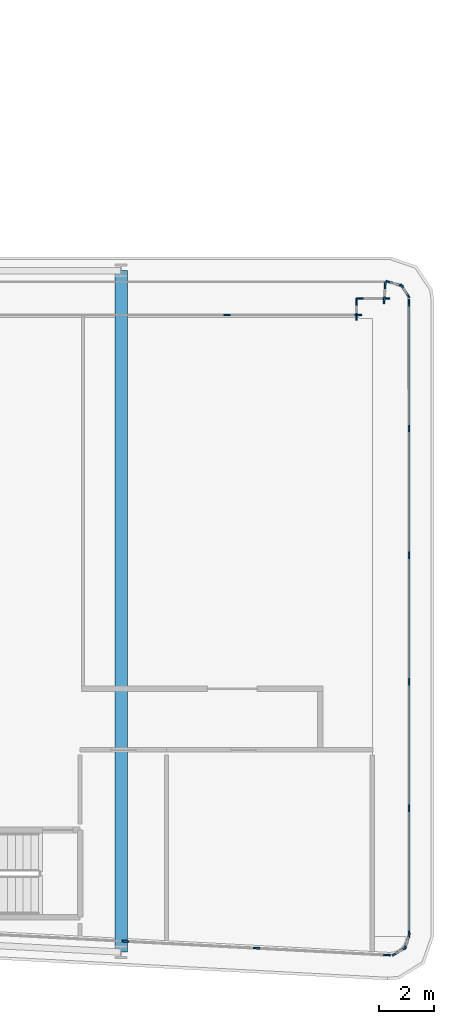
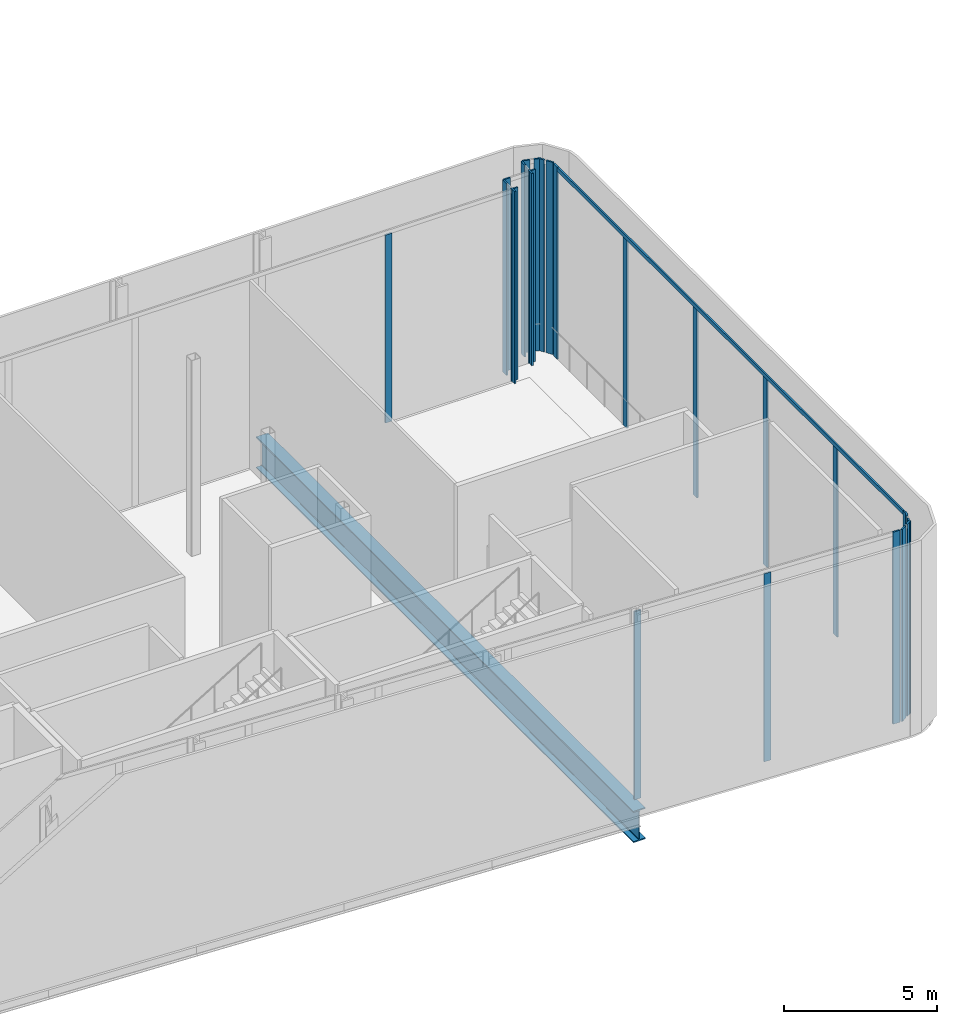
# One storey, part 15 of 36: 26 members, 1 beam, 10 elements without a shape of their own.
"""IFC4 building model written with IfcOpenShell, lengths in metres."""

import ifcopenshell
import ifcopenshell.guid

model = None  # the IFC model being written
_history = None  # IfcOwnerHistory: only IFC2X3 demands one
_inside = {}  # id of a spatial element -> (the spatial element, [elements in it])
_under = {}  # id of a project, library or spatial element -> (it, [spatial elements below it])
_declared = {}  # id of a project -> (the project, [libraries it declares])
_typed = {}  # id of a type object -> (the type object, [elements of that type])
_made_of = {}  # id of a material, layer set ... -> (it, [elements and type objects made of it])


def new_model(schema):
    """Start an empty IFC model of exactly this schema.

    Asked for "IFC4X3", IfcOpenShell would pick the latest addendum, in which some entities
    have other attributes; the version numbers below select the first issue.
    IFC2X3 requires an IfcOwnerHistory on every rooted entity: one is made here for all.
    """
    global model, _history
    if schema == "IFC4X3":
        model = ifcopenshell.file(schema_version=(4, 3, 0, 0))
    else:
        model = ifcopenshell.file(schema=schema)
    _inside.clear()
    _under.clear()
    _declared.clear()
    _typed.clear()
    _made_of.clear()
    _history = None
    if model.schema == "IFC2X3":
        org = make("IfcOrganization", Name="unknown")
        user = make(
            "IfcPersonAndOrganization",
            ThePerson=make("IfcPerson", FamilyName="unknown"),
            TheOrganization=org,
        )
        app = make(
            "IfcApplication",
            ApplicationDeveloper=org,
            Version="unknown",
            ApplicationFullName="unknown",
            ApplicationIdentifier="unknown",
        )
        _history = make(
            "IfcOwnerHistory",
            OwningUser=user,
            OwningApplication=app,
            ChangeAction="ADDED",
            CreationDate=0,
        )
    return model


def make(cls, **values):
    """One entity of the class cls with the attributes given. An attribute that is None is left unset."""
    return model.create_entity(
        cls, **{name: value for name, value in values.items() if value is not None}
    )


def rooted(cls, **values):
    """An entity with a GlobalId (a new one), such as an element, a storey or a relation."""
    return make(cls, GlobalId=ifcopenshell.guid.new(), OwnerHistory=_history, **values)


def si_unit(unit_type, name, prefix=None):
    """IfcSIUnit, for example si_unit("LENGTHUNIT", "METRE", prefix="MILLI")."""
    return make("IfcSIUnit", UnitType=unit_type, Prefix=prefix, Name=name)


def assignment(units):
    """IfcUnitAssignment: the units of a project."""
    return None if units is None else make("IfcUnitAssignment", Units=units)


def point(xyz):
    """IfcCartesianPoint."""
    return None if xyz is None else make("IfcCartesianPoint", Coordinates=xyz)


def direction(xyz):
    """IfcDirection."""
    return None if xyz is None else make("IfcDirection", DirectionRatios=xyz)


def frame(location, z_axis=None, x_axis=None):
    """IfcAxis2Placement3D, a coordinate frame: its origin and axes. An axis left out is left unset."""
    return make(
        "IfcAxis2Placement3D",
        Location=point(location),
        Axis=direction(z_axis),
        RefDirection=direction(x_axis),
    )


def frame_2d(location, x_axis=None):
    """IfcAxis2Placement2D, a coordinate frame in the plane: its origin and x axis."""
    return make(
        "IfcAxis2Placement2D", Location=point(location), RefDirection=direction(x_axis)
    )


def origin():
    """The frame at (0, 0, 0) with its axes left unset."""
    return frame((0.0, 0.0, 0.0))


def origin_2d():
    """The frame at (0, 0) in the plane with its x axis left unset."""
    return frame_2d((0.0, 0.0))


def place(relative_to, where):
    """IfcLocalPlacement: puts the frame where relative to a parent placement (None: the world)."""
    return make(
        "IfcLocalPlacement", PlacementRelTo=relative_to, RelativePlacement=where
    )


def context(
    kind, dimensions, precision=None, world=None, true_north=None, identifier=None
):
    """IfcGeometricRepresentationContext, for example the 3D "Model" context."""
    return make(
        "IfcGeometricRepresentationContext",
        ContextIdentifier=identifier,
        ContextType=kind,
        CoordinateSpaceDimension=dimensions,
        Precision=precision,
        WorldCoordinateSystem=world,
        TrueNorth=true_north,
    )


def subcontext(parent, identifier, kind, view, scale=None):
    """IfcGeometricRepresentationSubContext, for example "Body" below "Model"."""
    return make(
        "IfcGeometricRepresentationSubContext",
        ContextIdentifier=identifier,
        ContextType=kind,
        ParentContext=parent,
        TargetScale=scale,
        TargetView=view,
    )


def project(units=None, contexts=None):
    """IfcProject with its units and contexts."""
    return rooted(
        "IfcProject",
        Name="project",
        RepresentationContexts=contexts,
        UnitsInContext=assignment(units),
    )


def spatial(cls, under=None, at=None, **own):
    """A site, building, storey or space (cls), placed at a placement, below another one or the project."""
    s = rooted(cls, ObjectPlacement=at, **own)
    if under is not None:
        _under.setdefault(under.id(), (under, []))[1].append(s)
    return s


def profile(cls, at=None, kind="AREA", **sizes):
    """A parametric profile (cls). Its sizes go by their IFC names, for example OverallWidth=200.0."""
    return make(cls, ProfileType=kind, Position=at, **sizes)


def rectangle(**sizes):
    """IfcRectangleProfileDef."""
    return profile("IfcRectangleProfileDef", **sizes)


def i_section(**sizes):
    """IfcIShapeProfileDef."""
    return profile("IfcIShapeProfileDef", **sizes)


def extrude(swept, where, along, depth):
    """IfcExtrudedAreaSolid: the profile swept, set in the frame where, extruded along a direction by depth."""
    return make(
        "IfcExtrudedAreaSolid",
        SweptArea=swept,
        Position=where,
        ExtrudedDirection=direction(along),
        Depth=depth,
    )


def shape(context_of_items, identifier, shape_type, items):
    """IfcShapeRepresentation: the items that make up one representation, for example the "Body"."""
    return make(
        "IfcShapeRepresentation",
        ContextOfItems=context_of_items,
        RepresentationIdentifier=identifier,
        RepresentationType=shape_type,
        Items=items,
    )


def material(Name=None, Category=None):
    """IfcMaterial."""
    return make("IfcMaterial", Name=Name, Category=Category)


def layer(
    of_material, thickness, ventilated=None, Name=None, Category=None, Priority=None
):
    """IfcMaterialLayer: one layer of a wall or slab, of a material (None: an air gap)."""
    return make(
        "IfcMaterialLayer",
        Material=of_material,
        LayerThickness=thickness,
        IsVentilated=ventilated,
        Name=Name,
        Category=Category,
        Priority=Priority,
    )


def layer_set(layers, Name=None):
    """IfcMaterialLayerSet."""
    return make("IfcMaterialLayerSet", MaterialLayers=layers, LayerSetName=Name)


def material_profile(
    of_material, cross_section, Name=None, Category=None, Priority=None
):
    """IfcMaterialProfile: a cross section and its material."""
    return make(
        "IfcMaterialProfile",
        Name=Name,
        Material=of_material,
        Profile=cross_section,
        Priority=Priority,
        Category=Category,
    )


def profile_set(profiles, Name=None, composite=None):
    """IfcMaterialProfileSet."""
    return make(
        "IfcMaterialProfileSet",
        Name=Name,
        MaterialProfiles=profiles,
        CompositeProfile=composite,
    )


def made_of(thing, what):
    """Note that an element or type object is made of a material, layer set ...; save() writes the relation."""
    if what is not None:
        _made_of.setdefault(what.id(), (what, []))[1].append(thing)
    return thing


def type_object(cls, material=None, **own):
    """A type object (cls), such as IfcWallType, which elements share."""
    return made_of(rooted(cls, **own), material)


def element(
    cls,
    number,
    at=None,
    inside=None,
    cuts=None,
    type_object=None,
    material=None,
    context=None,
    identifier="Body",
    shape_type=None,
    held_by="IfcProductDefinitionShape",
    body=None,
    shapes=None,
    **own,
):
    """One element of the class cls, such as IfcWall. Its Tag is "e" and its number.

    at: its placement. inside: the storey or other place that contains it. cuts: it is an
    opening in that element (IfcRelVoidsElement). A single representation is given by context,
    identifier, shape_type and body (its items); several are given by shapes. held_by: the class
    of the entity that holds the representations. save() writes the other relations.
    """
    e = rooted(cls, Tag="e%d" % number, ObjectPlacement=at, **own)
    if body is not None:
        shapes = [shape(context, identifier, shape_type, body)]
    if shapes is not None:
        e.Representation = make(held_by, Representations=shapes)
    if inside is not None:
        _inside.setdefault(inside.id(), (inside, []))[1].append(e)
    if cuts is not None:
        rooted(
            "IfcRelVoidsElement", RelatingBuildingElement=cuts, RelatedOpeningElement=e
        )
    if type_object is not None:
        _typed.setdefault(type_object.id(), (type_object, []))[1].append(e)
    return made_of(e, material)


def aggregate(whole, parts):
    """IfcRelAggregates: a whole, such as a stair, and the parts it consists of."""
    return rooted("IfcRelAggregates", RelatingObject=whole, RelatedObjects=parts)


def save(model, path):
    """Write the relations noted so far, then the file.

    IfcRelAggregates (storeys below a building ...), IfcRelContainedInSpatialStructure (elements
    in a storey), IfcRelDefinesByType, IfcRelAssociatesMaterial and IfcRelDeclares: one each for
    every whole, place, type object, material and project.
    """
    for whole, parts in _under.values():
        aggregate(whole, parts)
    for where, things in _inside.values():
        rooted(
            "IfcRelContainedInSpatialStructure",
            RelatedElements=things,
            RelatingStructure=where,
        )
    for kind, things in _typed.values():
        rooted("IfcRelDefinesByType", RelatedObjects=things, RelatingType=kind)
    for what, things in _made_of.values():
        rooted("IfcRelAssociatesMaterial", RelatedObjects=things, RelatingMaterial=what)
    for by, libraries in _declared.values():
        rooted("IfcRelDeclares", RelatingContext=by, RelatedDefinitions=libraries)
    model.write(path)


model = new_model("IFC4")

# Units and contexts
model_context = context("Model", 3, precision=1e-05, world=origin(), true_north=direction((0.0, 1.0)))
body_context = subcontext(model_context, "Body", "Model", "MODEL_VIEW")
ifc_project = project(units=[si_unit("LENGTHUNIT", "METRE"), si_unit("AREAUNIT", "SQUARE_METRE"), si_unit("VOLUMEUNIT", "CUBIC_METRE"), si_unit("PLANEANGLEUNIT", "RADIAN"), si_unit("MASSUNIT", "GRAM", prefix="KILO")], contexts=[model_context])

# Site, building, storey
site_placement = place(None, origin())
site = spatial("IfcSite", under=ifc_project, at=site_placement, CompositionType="ELEMENT")
building_placement = place(site_placement, origin())
building = spatial("IfcBuilding", under=site, at=building_placement, Name="Kheshtan School and Residences Tower", CompositionType="ELEMENT")
storey_placement = place(building_placement, frame((0.0, 0.0, 81.199951171875)))
storey = spatial("IfcBuildingStorey", under=building, at=storey_placement, Name="L19", CompositionType="ELEMENT", Elevation=81.199951171875)

# Curtain wall, members
ifc_material_1 = material(Name="Clear low-e glass in thermally broken aluminium frame", Category="aluminium")
ifc_layer_1 = layer(ifc_material_1, 0.25)
ifc_layer_set_1 = layer_set([ifc_layer_1], Name="Curtain wall CW-G")
curtain_wall_type_1 = type_object("IfcCurtainWallType", Name="Curtain wall CW-G", PredefinedType="NOTDEFINED", material=ifc_layer_set_1)
curtain_wall_1_placement = place(storey_placement, origin())
curtain_wall_1 = element("IfcCurtainWall", 1, at=curtain_wall_1_placement, inside=storey, type_object=curtain_wall_type_1, Name="Curtain wall CWG5a", PredefinedType="NOTDEFINED")
ifc_material_2 = material(Name="Thermally broken aluminium, dark bronze anodised", Category="aluminium")
ifc_material_profile_1 = material_profile(ifc_material_2, rectangle(XDim=0.06005859375, YDim=0.25, at=origin_2d()), Name="CW-G mullion 60x250")
ifc_profile_set_1 = profile_set([ifc_material_profile_1], Name="Thermally broken aluminium, dark bronze anodised")
member_type_1 = type_object("IfcMemberType", Name="CW-G mullion 60x250", PredefinedType="MULLION", material=ifc_profile_set_1)
member_1_placement = place(storey_placement, frame((94.6259765625, 44.0, 0.0), z_axis=(0.0, 0.0, 1.0), x_axis=(0.0, 1.0, 0.0)))
member_1 = element("IfcMember", 2, at=member_1_placement, type_object=member_type_1, Name="CWG5a mullion 5", PredefinedType="MULLION", context=body_context, shape_type="SweptSolid", body=[
    extrude(rectangle(XDim=0.06005859375, YDim=0.25, at=origin_2d()), origin(), (0.0, 0.0, 1.0), 7.489990234375),
])
member_2_placement = place(storey_placement, frame((99.3701171875, 44.0, 0.0), z_axis=(0.0, 0.0, 1.0), x_axis=(0.0, 1.0, 0.0)))
member_2 = element("IfcMember", 3, at=member_2_placement, type_object=member_type_1, Name="CWG5a mullion 6", PredefinedType="MULLION", context=body_context, shape_type="SweptSolid", body=[
    extrude(rectangle(XDim=0.06005859375, YDim=0.25, at=origin_2d()), origin(), (0.0, 0.0, 1.0), 7.650146484375),
])
aggregate(curtain_wall_1, [member_1, member_2])

ifc_layer_2 = layer(ifc_material_1, 0.25)
ifc_layer_set_2 = layer_set([ifc_layer_2], Name="Curtain wall CW-K")
curtain_wall_type_2 = type_object("IfcCurtainWallType", Name="Curtain wall CW-K", PredefinedType="NOTDEFINED", material=ifc_layer_set_2)
curtain_wall_2_placement = place(storey_placement, origin())
curtain_wall_2 = element("IfcCurtainWall", 4, at=curtain_wall_2_placement, inside=storey, type_object=curtain_wall_type_2, Name="Curtain wall CWK6", PredefinedType="NOTDEFINED")
ifc_material_profile_2 = material_profile(ifc_material_2, rectangle(XDim=0.06005859375, YDim=0.25, at=origin_2d()), Name="CW-K mullion 60x250")
ifc_profile_set_2 = profile_set([ifc_material_profile_2], Name="Thermally broken aluminium, dark bronze anodised")
member_type_2 = type_object("IfcMemberType", Name="CW-K mullion 60x250", PredefinedType="MULLION", material=ifc_profile_set_2)
member_3_placement = place(storey_placement, frame((99.300048828125, 43.929931640625, 0.0), z_axis=(0.0, 0.0, 1.0), x_axis=(-1.0, 0.0, 0.0)))
member_3 = element("IfcMember", 5, at=member_3_placement, type_object=member_type_2, Name="CWK6 mullion 1", PredefinedType="MULLION", context=body_context, shape_type="SweptSolid", body=[
    extrude(rectangle(XDim=0.06005859375, YDim=0.25, at=origin_2d()), origin(), (0.0, 0.0, 1.0), 7.650146484375),
])
member_4_placement = place(storey_placement, frame((99.300048828125, 44.469970703125, 0.0), z_axis=(0.0, 0.0, 1.0), x_axis=(-1.0, 0.0, 0.0)))
member_4 = element("IfcMember", 6, at=member_4_placement, type_object=member_type_2, Name="CWK6 mullion 2", PredefinedType="MULLION", context=body_context, shape_type="SweptSolid", body=[
    extrude(rectangle(XDim=0.06005859375, YDim=0.25, at=origin_2d()), origin(), (0.0, 0.0, 1.0), 7.650146484375),
])
aggregate(curtain_wall_2, [member_3, member_4])

curtain_wall_3_placement = place(storey_placement, origin())
curtain_wall_3 = element("IfcCurtainWall", 7, at=curtain_wall_3_placement, inside=storey, type_object=curtain_wall_type_2, Name="Curtain wall CWK7", PredefinedType="NOTDEFINED")
member_5_placement = place(storey_placement, frame((99.429931640625, 44.60009765625, 0.0), z_axis=(0.0, 0.0, 1.0), x_axis=(0.0, 1.0, 0.0)))
member_5 = element("IfcMember", 8, at=member_5_placement, type_object=member_type_2, Name="CWK7 mullion 1", PredefinedType="MULLION", context=body_context, shape_type="SweptSolid", body=[
    extrude(rectangle(XDim=0.06005859375, YDim=0.25, at=origin_2d()), origin(), (0.0, 0.0, 1.0), 7.650146484375),
])
member_6_placement = place(storey_placement, frame((100.37109375, 44.60009765625, 0.0), z_axis=(0.0, 0.0, 1.0), x_axis=(0.0, 1.0, 0.0)))
member_6 = element("IfcMember", 9, at=member_6_placement, type_object=member_type_2, Name="CWK7 mullion 2", PredefinedType="MULLION", context=body_context, shape_type="SweptSolid", body=[
    extrude(rectangle(XDim=0.06005859375, YDim=0.25, at=origin_2d()), origin(), (0.0, 0.0, 1.0), 7.650146484375),
])
aggregate(curtain_wall_3, [member_5, member_6])

curtain_wall_4_placement = place(storey_placement, origin())
curtain_wall_4 = element("IfcCurtainWall", 10, at=curtain_wall_4_placement, inside=storey, type_object=curtain_wall_type_2, Name="Curtain wall CWK8", PredefinedType="NOTDEFINED")
member_7_placement = place(storey_placement, frame((100.30322265625, 44.536376953125, 0.0), z_axis=(0.0, 0.0, 1.0), x_axis=(-0.997894170503, 0.06486312108, 0.0)))
member_7 = element("IfcMember", 11, at=member_7_placement, type_object=member_type_2, Name="CWK8 mullion 1", PredefinedType="MULLION", context=body_context, shape_type="SweptSolid", body=[
    extrude(rectangle(XDim=0.06005859375, YDim=0.25, at=origin_2d()), origin(), (0.0, 0.0, 1.0), 7.650146484375),
])
member_8_placement = place(storey_placement, frame((100.33837890625, 45.07666015625, 0.0), z_axis=(0.0, 0.0, 1.0), x_axis=(-0.997894170503, 0.06486312108, 0.0)))
member_8 = element("IfcMember", 12, at=member_8_placement, type_object=member_type_2, Name="CWK8 mullion 2", PredefinedType="MULLION", context=body_context, shape_type="SweptSolid", body=[
    extrude(rectangle(XDim=0.06005859375, YDim=0.25, at=origin_2d()), origin(), (0.0, 0.0, 1.0), 7.650146484375),
])
aggregate(curtain_wall_4, [member_7, member_8])

curtain_wall_5_placement = place(storey_placement, origin())
curtain_wall_5 = element("IfcCurtainWall", 13, at=curtain_wall_5_placement, inside=storey, type_object=curtain_wall_type_2, Name="Curtain wall CWK9", PredefinedType="NOTDEFINED")
member_9_placement = place(storey_placement, frame((100.4970703125, 45.187255859375, 0.0), z_axis=(0.0, 0.0, 1.0), x_axis=(0.284241942661, 0.958752584368, 0.0)))
member_9 = element("IfcMember", 14, at=member_9_placement, type_object=member_type_2, Name="CWK9 mullion 1", PredefinedType="MULLION", context=body_context, shape_type="SweptSolid", body=[
    extrude(rectangle(XDim=0.06005859375, YDim=0.25, at=origin_2d()), origin(), (0.0, 0.0, 1.0), 7.650146484375),
])
member_10_placement = place(storey_placement, frame((100.86474609375, 45.078369140625, 0.0), z_axis=(0.0, 0.0, 1.0), x_axis=(0.284241942661, 0.958752584368, 0.0)))
member_10 = element("IfcMember", 15, at=member_10_placement, type_object=member_type_2, Name="CWK9 mullion 2", PredefinedType="MULLION", context=body_context, shape_type="SweptSolid", body=[
    extrude(rectangle(XDim=0.06005859375, YDim=0.25, at=origin_2d()), origin(), (0.0, 0.0, 1.0), 7.650146484375),
])
aggregate(curtain_wall_5, [member_9, member_10])

curtain_wall_6_placement = place(storey_placement, origin())
curtain_wall_6 = element("IfcCurtainWall", 16, at=curtain_wall_6_placement, inside=storey, type_object=curtain_wall_type_2, Name="Curtain wall CWK10", PredefinedType="NOTDEFINED")
member_11_placement = place(storey_placement, frame((100.96484375, 45.004638671875, 0.0), z_axis=(0.0, 0.0, 1.0), x_axis=(0.831648992198, 0.555301678168, 0.0)))
member_11 = element("IfcMember", 17, at=member_11_placement, type_object=member_type_2, Name="CWK10 mullion 1", PredefinedType="MULLION", context=body_context, shape_type="SweptSolid", body=[
    extrude(rectangle(XDim=0.06005859375, YDim=0.25, at=origin_2d()), origin(), (0.0, 0.0, 1.0), 7.650146484375),
])
member_12_placement = place(storey_placement, frame((101.14453125, 44.735595703125, 0.0), z_axis=(0.0, 0.0, 1.0), x_axis=(0.831648992198, 0.555301678168, 0.0)))
member_12 = element("IfcMember", 18, at=member_12_placement, type_object=member_type_2, Name="CWK10 mullion 2", PredefinedType="MULLION", context=body_context, shape_type="SweptSolid", body=[
    extrude(rectangle(XDim=0.06005859375, YDim=0.25, at=origin_2d()), origin(), (0.0, 0.0, 1.0), 7.650146484375),
])
aggregate(curtain_wall_6, [member_11, member_12])

curtain_wall_7_placement = place(storey_placement, origin())
curtain_wall_7 = element("IfcCurtainWall", 19, at=curtain_wall_7_placement, inside=storey, type_object=curtain_wall_type_2, Name="Curtain wall CWK11", PredefinedType="NOTDEFINED")
member_13_placement = place(storey_placement, frame((101.199951171875, 44.43994140625, 0.0), z_axis=(0.0, 0.0, 1.0), x_axis=(1.0, 0.0, 0.0)))
member_13 = element("IfcMember", 20, at=member_13_placement, type_object=member_type_2, Name="CWK11 mullion 1", PredefinedType="MULLION", context=body_context, shape_type="SweptSolid", body=[
    extrude(rectangle(XDim=0.06005859375, YDim=0.25, at=origin_2d()), origin(), (0.0, 0.0, 1.0), 7.650146484375),
])
member_14_placement = place(storey_placement, frame((101.199951171875, 39.8984375, 0.0), z_axis=(0.0, 0.0, 1.0), x_axis=(1.0, 0.0, 0.0)))
member_14 = element("IfcMember", 21, at=member_14_placement, type_object=member_type_2, Name="CWK11 mullion 2", PredefinedType="MULLION", context=body_context, shape_type="SweptSolid", body=[
    extrude(rectangle(XDim=0.06005859375, YDim=0.25, at=origin_2d()), origin(), (0.0, 0.0, 1.0), 7.489990234375),
])
member_15_placement = place(storey_placement, frame((101.199951171875, 35.326904296875, 0.0), z_axis=(0.0, 0.0, 1.0), x_axis=(1.0, 0.0, 0.0)))
member_15 = element("IfcMember", 22, at=member_15_placement, type_object=member_type_2, Name="CWK11 mullion 3", PredefinedType="MULLION", context=body_context, shape_type="SweptSolid", body=[
    extrude(rectangle(XDim=0.06005859375, YDim=0.25, at=origin_2d()), origin(), (0.0, 0.0, 1.0), 7.489990234375),
])
member_16_placement = place(storey_placement, frame((101.199951171875, 30.755126953125, 0.0), z_axis=(0.0, 0.0, 1.0), x_axis=(1.0, 0.0, 0.0)))
member_16 = element("IfcMember", 23, at=member_16_placement, type_object=member_type_2, Name="CWK11 mullion 4", PredefinedType="MULLION", context=body_context, shape_type="SweptSolid", body=[
    extrude(rectangle(XDim=0.06005859375, YDim=0.25, at=origin_2d()), origin(), (0.0, 0.0, 1.0), 7.489990234375),
])
member_17_placement = place(storey_placement, frame((101.199951171875, 26.18359375, 0.0), z_axis=(0.0, 0.0, 1.0), x_axis=(1.0, 0.0, 0.0)))
member_17 = element("IfcMember", 24, at=member_17_placement, type_object=member_type_2, Name="CWK11 mullion 5", PredefinedType="MULLION", context=body_context, shape_type="SweptSolid", body=[
    extrude(rectangle(XDim=0.06005859375, YDim=0.25, at=origin_2d()), origin(), (0.0, 0.0, 1.0), 7.489990234375),
])
member_18_placement = place(storey_placement, frame((101.199951171875, 21.64208984375, 0.0), z_axis=(0.0, 0.0, 1.0), x_axis=(1.0, 0.0, 0.0)))
member_18 = element("IfcMember", 25, at=member_18_placement, type_object=member_type_2, Name="CWK11 mullion 6", PredefinedType="MULLION", context=body_context, shape_type="SweptSolid", body=[
    extrude(rectangle(XDim=0.06005859375, YDim=0.25, at=origin_2d()), origin(), (0.0, 0.0, 1.0), 7.650146484375),
])

curtain_wall_8_placement = place(storey_placement, origin())
curtain_wall_8 = element("IfcCurtainWall", 26, at=curtain_wall_8_placement, inside=storey, type_object=curtain_wall_type_2, Name="Curtain wall CWK12", PredefinedType="NOTDEFINED")
member_19_placement = place(storey_placement, frame((101.185791015625, 21.552490234375, 0.0), z_axis=(0.0, 0.0, 1.0), x_axis=(0.950548766961, -0.310575339699, 0.0)))
member_19 = element("IfcMember", 27, at=member_19_placement, type_object=member_type_2, Name="CWK12 mullion 1", PredefinedType="MULLION", context=body_context, shape_type="SweptSolid", body=[
    extrude(rectangle(XDim=0.06005859375, YDim=0.25, at=origin_2d()), origin(), (0.0, 0.0, 1.0), 7.650146484375),
])
member_20_placement = place(storey_placement, frame((101.072265625, 21.20556640625, 0.0), z_axis=(0.0, 0.0, 1.0), x_axis=(0.950548766961, -0.310575339699, 0.0)))
member_20 = element("IfcMember", 28, at=member_20_placement, type_object=member_type_2, Name="CWK12 mullion 2", PredefinedType="MULLION", context=body_context, shape_type="SweptSolid", body=[
    extrude(rectangle(XDim=0.06005859375, YDim=0.25, at=origin_2d()), origin(), (0.0, 0.0, 1.0), 7.650146484375),
])
aggregate(curtain_wall_8, [member_19, member_20])

curtain_wall_9_placement = place(storey_placement, origin())
curtain_wall_9 = element("IfcCurtainWall", 29, at=curtain_wall_9_placement, inside=storey, type_object=curtain_wall_type_2, Name="Curtain wall CWK13", PredefinedType="NOTDEFINED")
member_21_placement = place(storey_placement, frame((100.995361328125, 21.107177734375, 0.0), z_axis=(0.0, 0.0, 1.0), x_axis=(0.527300652118, -0.849678775936, 0.0)))
member_21 = element("IfcMember", 30, at=member_21_placement, type_object=member_type_2, Name="CWK13 mullion 1", PredefinedType="MULLION", context=body_context, shape_type="SweptSolid", body=[
    extrude(rectangle(XDim=0.06005859375, YDim=0.25, at=origin_2d()), origin(), (0.0, 0.0, 1.0), 7.650146484375),
])
member_22_placement = place(storey_placement, frame((100.706298828125, 20.927734375, 0.0), z_axis=(0.0, 0.0, 1.0), x_axis=(0.527300652118, -0.849678775936, 0.0)))
member_22 = element("IfcMember", 31, at=member_22_placement, type_object=member_type_2, Name="CWK13 mullion 2", PredefinedType="MULLION", context=body_context, shape_type="SweptSolid", body=[
    extrude(rectangle(XDim=0.06005859375, YDim=0.25, at=origin_2d()), origin(), (0.0, 0.0, 1.0), 7.650146484375),
])
aggregate(curtain_wall_9, [member_21, member_22])

curtain_wall_10_placement = place(storey_placement, origin())
curtain_wall_10 = element("IfcCurtainWall", 32, at=curtain_wall_10_placement, inside=storey, type_object=curtain_wall_type_2, Name="Curtain wall CWK14", PredefinedType="NOTDEFINED")
member_23_placement = place(storey_placement, frame((100.40283203125, 20.884765625, 0.0), z_axis=(0.0, 0.0, 1.0), x_axis=(-0.052569888839, -0.998617247391, 0.0)))
member_23 = element("IfcMember", 33, at=member_23_placement, type_object=member_type_2, Name="CWK14 mullion 1", PredefinedType="MULLION", context=body_context, shape_type="SweptSolid", body=[
    extrude(rectangle(XDim=0.06005859375, YDim=0.25, at=origin_2d()), origin(), (0.0, 0.0, 1.0), 7.650146484375),
])
member_24_placement = place(storey_placement, frame((95.69189453125, 21.1328125, 0.0), z_axis=(0.0, 0.0, 1.0), x_axis=(-0.052569888839, -0.998617247391, 0.0)))
member_24 = element("IfcMember", 34, at=member_24_placement, type_object=member_type_2, Name="CWK14 mullion 2", PredefinedType="MULLION", context=body_context, shape_type="SweptSolid", body=[
    extrude(rectangle(XDim=0.06005859375, YDim=0.25, at=origin_2d()), origin(), (0.0, 0.0, 1.0), 7.489990234375),
])
member_25_placement = place(storey_placement, frame((90.950927734375, 21.38232421875, 0.0), z_axis=(0.0, 0.0, 1.0), x_axis=(-0.052569888839, -0.998617247391, 0.0)))
member_25 = element("IfcMember", 35, at=member_25_placement, type_object=member_type_2, Name="CWK14 mullion 3", PredefinedType="MULLION", context=body_context, shape_type="SweptSolid", body=[
    extrude(rectangle(XDim=0.06005859375, YDim=0.25, at=origin_2d()), origin(), (0.0, 0.0, 1.0), 7.489990234375),
])
aggregate(curtain_wall_10, [member_23, member_24, member_25])

# Member
ifc_material_profile_3 = material_profile(ifc_material_2, rectangle(XDim=0.06005859375, YDim=0.159912109375, at=origin_2d()), Name="CW-K transom 60x160")
ifc_profile_set_3 = profile_set([ifc_material_profile_3], Name="Thermally broken aluminium, dark bronze anodised")
member_type_3 = type_object("IfcMemberType", Name="CW-K transom 60x160", PredefinedType="USERDEFINED", material=ifc_profile_set_3)
member_26_placement = place(storey_placement, frame((101.199951171875, 44.409912109375, 7.570068359375), z_axis=(0.0, -1.0, 0.0), x_axis=(1.0, 0.0, 0.0)))
member_26 = element("IfcMember", 36, at=member_26_placement, type_object=member_type_3, Name="CWK11 transom 1", ObjectType="TRANSOM", PredefinedType="USERDEFINED", context=body_context, shape_type="SweptSolid", body=[
    extrude(rectangle(XDim=0.06005859375, YDim=0.159912109375, at=origin_2d()), origin(), (0.0, 0.0, 1.0), 22.73779296875),
])

aggregate(curtain_wall_7, [member_13, member_14, member_15, member_16, member_17, member_18, member_26])

# Beam
ifc_material_3 = material(Name="Steel ASTM A992 Grade 50", Category="steel")
ifc_material_profile_4 = material_profile(ifc_material_3, i_section(OverallWidth=0.449951171875, OverallDepth=1.25, WebThickness=0.02490234375, FlangeThickness=0.044921875, FilletRadius=0.03759765625, at=origin_2d()), Name="WWF1250x546")
ifc_profile_set_4 = profile_set([ifc_material_profile_4], Name="Steel ASTM A992 Grade 50")
beam_type = type_object("IfcBeamType", Name="Transfer girder TG4 WWF1250x546 ASTM A992 Grade 50", PredefinedType="BEAM", material=ifc_profile_set_4)
beam_placement = place(storey_placement, frame((90.800048828125, 45.60009765625, -0.77490234375), z_axis=(0.0, -1.0, 0.0), x_axis=(1.0, 0.0, 0.0)))
element("IfcBeam", 37, at=beam_placement, inside=storey, type_object=beam_type, Name="Transfer girder C068-C006", PredefinedType="BEAM", context=body_context, shape_type="SweptSolid", body=[
    extrude(i_section(OverallWidth=0.449951171875, OverallDepth=1.25, WebThickness=0.02490234375, FlangeThickness=0.044921875, FilletRadius=0.03759765625, at=origin_2d()), origin(), (0.0, 0.0, 1.0), 24.610107421875),
])

save(model, "model.ifc")
